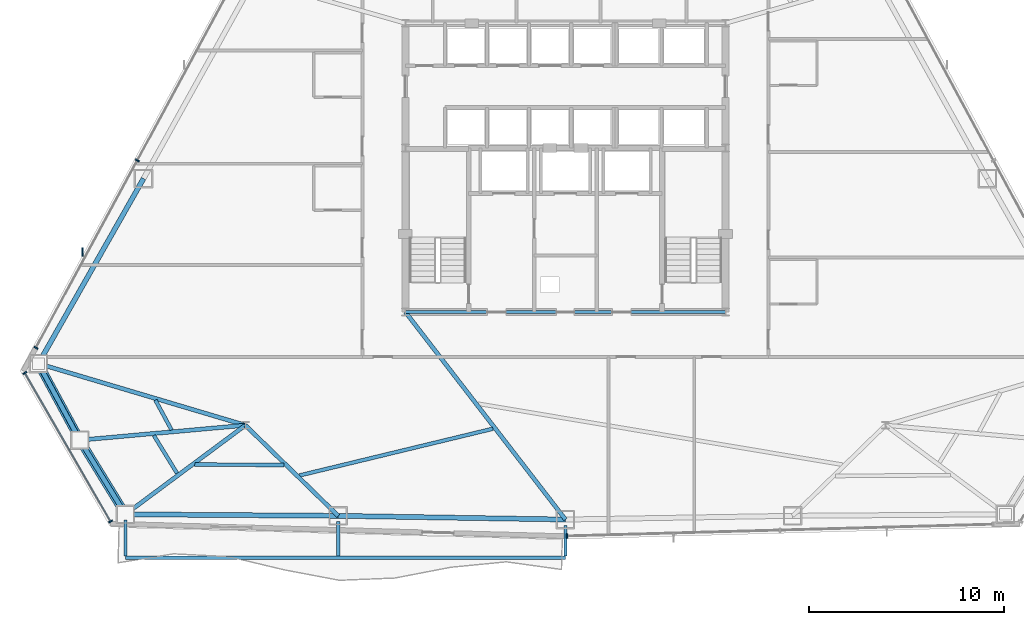
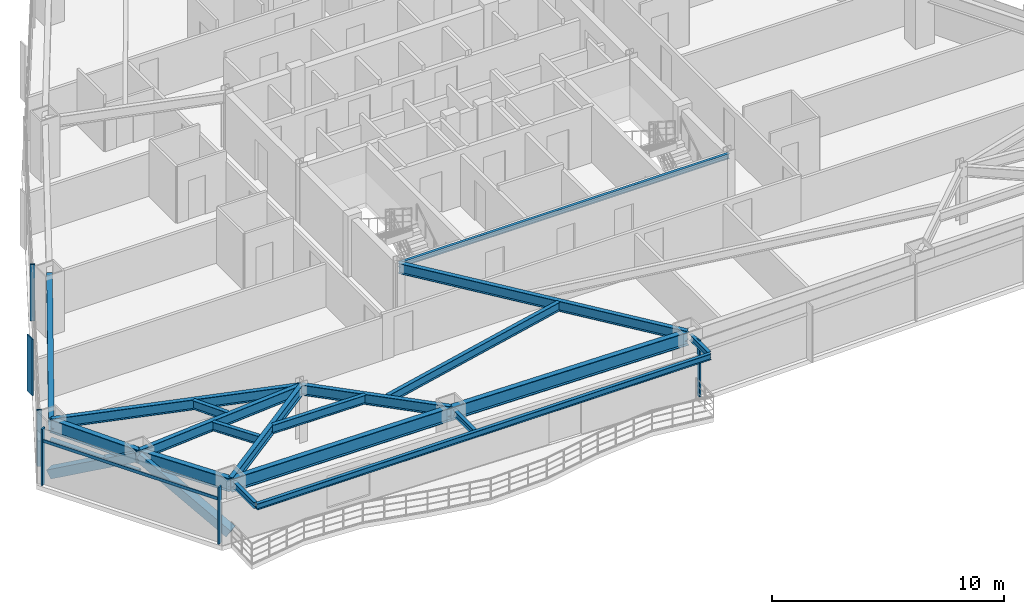
# One storey, part 4 of 14: 19 beams, 10 members, 3 elements without a shape of their own.
"""IFC4 building model written with IfcOpenShell, lengths in metres."""

from ifc_helpers import new_model, si_unit, direction, frame, origin, origin_2d, place, context, subcontext, project, spatial, rectangle, hollow_rectangle, hollow_circle, i_section, extrude, source, transform, mapped, material, layer, layer_set, material_profile, profile_set, type_object, type_shapes, element, aggregate, save


model = new_model("IFC4")

# Units and contexts
model_context = context("Model", 3, precision=1e-05, world=origin(), true_north=direction((0.0, 1.0)))
body_context = subcontext(model_context, "Body", "Model", "MODEL_VIEW")
ifc_project = project(units=[si_unit("LENGTHUNIT", "METRE"), si_unit("AREAUNIT", "SQUARE_METRE"), si_unit("VOLUMEUNIT", "CUBIC_METRE"), si_unit("PLANEANGLEUNIT", "RADIAN"), si_unit("MASSUNIT", "GRAM", prefix="KILO")], contexts=[model_context])

# Site, building, storey
site_placement = place(None, origin())
site = spatial("IfcSite", under=ifc_project, at=site_placement, CompositionType="ELEMENT")
building_placement = place(site_placement, origin())
building = spatial("IfcBuilding", under=site, at=building_placement, Name="Varakhsha Concourse Tower", CompositionType="ELEMENT")
storey_placement = place(building_placement, frame((0.0, 0.0, 105.39990234375)))
storey = spatial("IfcBuildingStorey", under=building, at=storey_placement, Name="L30", CompositionType="ELEMENT", Elevation=105.39990234375)

# Beams
ifc_material_1 = material(Name="Structural Steel ASTM A992 Grade 50", Category="steel")
ifc_material_profile_1 = material_profile(ifc_material_1, i_section(OverallWidth=0.1669921875, OverallDepth=0.31689453125, WebThickness=0.008056640625, FlangeThickness=0.012939453125, at=origin_2d()), Name="W12X35")
ifc_profile_set_1 = profile_set([ifc_material_profile_1], Name="Structural Steel ASTM A992 Grade 50")
beam_type_1 = type_object("IfcBeamType", Name="BM-EDGE-W12X35", PredefinedType="BEAM", material=ifc_profile_set_1)
beam_1_placement = place(storey_placement, frame((17.4541015625, 3.806884765625, 2.801513671875), z_axis=(1.0, 0.0, 0.0), x_axis=(0.0, 1.0, 0.0)))
element("IfcBeam", 1, at=beam_1_placement, inside=storey, type_object=beam_type_1, Name="L31 Sky-Loggia Outer Header Girder", PredefinedType="BEAM", context=body_context, shape_type="SweptSolid", body=[
    extrude(i_section(OverallWidth=0.1669921875, OverallDepth=0.31689453125, WebThickness=0.008056640625, FlangeThickness=0.012939453125, at=origin_2d()), origin(), (0.0, 0.0, 1.0), 22.5458984375),
])
beam_2_placement = place(storey_placement, frame((17.4541015625, 5.739990234375, 2.801513671875), z_axis=(0.0, -1.0, 0.0), x_axis=(1.0, 0.0, 0.0)))
element("IfcBeam", 2, at=beam_2_placement, inside=storey, type_object=beam_type_1, Name="L31 Sky-Loggia Support Bracket 1", PredefinedType="BEAM", context=body_context, shape_type="SweptSolid", body=[
    extrude(i_section(OverallWidth=0.1669921875, OverallDepth=0.31689453125, WebThickness=0.008056640625, FlangeThickness=0.012939453125, at=origin_2d()), origin(), (0.0, 0.0, 1.0), 1.848876953125),
])
beam_3_placement = place(storey_placement, frame((28.357177734375, 5.6630859375, 2.801513671875), z_axis=(0.0, -1.0, 0.0), x_axis=(1.0, 0.0, 0.0)))
element("IfcBeam", 3, at=beam_3_placement, inside=storey, type_object=beam_type_1, Name="L31 Sky-Loggia Support Bracket 2", PredefinedType="BEAM", context=body_context, shape_type="SweptSolid", body=[
    extrude(i_section(OverallWidth=0.1669921875, OverallDepth=0.31689453125, WebThickness=0.008056640625, FlangeThickness=0.012939453125, at=origin_2d()), origin(), (0.0, 0.0, 1.0), 1.77197265625),
])
beam_4_placement = place(storey_placement, frame((40.0, 5.47412109375, 2.801513671875), z_axis=(0.0, -1.0, 0.0), x_axis=(1.0, 0.0, 0.0)))
element("IfcBeam", 4, at=beam_4_placement, inside=storey, type_object=beam_type_1, Name="L31 Sky-Loggia Support Bracket 3", PredefinedType="BEAM", context=body_context, shape_type="SweptSolid", body=[
    extrude(i_section(OverallWidth=0.1669921875, OverallDepth=0.31689453125, WebThickness=0.008056640625, FlangeThickness=0.012939453125, at=origin_2d()), origin(), (0.0, 0.0, 1.0), 1.5830078125),
])
ifc_material_profile_2 = material_profile(ifc_material_1, i_section(OverallWidth=0.19091796875, OverallDepth=0.45703125, WebThickness=0.009033203125, FlangeThickness=0.013916015625, at=origin_2d()), Name="W18X50")
ifc_profile_set_2 = profile_set([ifc_material_profile_2], Name="Structural Steel ASTM A992 Grade 50")
beam_type_2 = type_object("IfcBeamType", Name="BM-JST-W18X50", PredefinedType="JOIST", material=ifc_profile_set_2)
beam_5_placement = place(storey_placement, frame((18.986572265625, 11.892578125, 2.74169921875), z_axis=(0.476504295846, -0.879172142439, 0.0), x_axis=(0.879172142439, 0.476504295846, 0.0)))
element("IfcBeam", 5, at=beam_5_placement, inside=storey, type_object=beam_type_2, Name="BM-TJST-L30-07", PredefinedType="JOIST", context=body_context, shape_type="SweptSolid", body=[
    extrude(i_section(OverallWidth=0.19091796875, OverallDepth=0.45703125, WebThickness=0.009033203125, FlangeThickness=0.013916015625, at=origin_2d()), origin(), (0.0, 0.0, 1.0), 1.742431640625),
])
beam_6_placement = place(storey_placement, frame((18.9091796875, 10.07861328125, 2.74169921875), z_axis=(0.523044533112, -0.852305353956, 0.0), x_axis=(0.852305353956, 0.523044533112, 0.0)))
element("IfcBeam", 6, at=beam_6_placement, inside=storey, type_object=beam_type_2, Name="BM-TJST-L30-08", PredefinedType="JOIST", context=body_context, shape_type="SweptSolid", body=[
    extrude(i_section(OverallWidth=0.19091796875, OverallDepth=0.45703125, WebThickness=0.009033203125, FlangeThickness=0.013916015625, at=origin_2d()), origin(), (0.0, 0.0, 1.0), 2.27783203125),
])
beam_7_placement = place(storey_placement, frame((21.005859375, 8.590576171875, 2.74169921875), z_axis=(0.999975217478, -0.007040201008, 0.0), x_axis=(0.007040201008, 0.999975217478, 0.0)))
element("IfcBeam", 7, at=beam_7_placement, inside=storey, type_object=beam_type_2, Name="BM-TJST-L30-09", PredefinedType="JOIST", context=body_context, shape_type="SweptSolid", body=[
    extrude(i_section(OverallWidth=0.19091796875, OverallDepth=0.45703125, WebThickness=0.009033203125, FlangeThickness=0.013916015625, at=origin_2d()), origin(), (0.0, 0.0, 1.0), 4.577392578125),
])
beam_8_placement = place(storey_placement, frame((26.37109375, 8.0263671875, 2.74169921875), z_axis=(0.972049063093, 0.234777807595, 0.0), x_axis=(-0.234777807595, 0.972049063093, 0.0)))
element("IfcBeam", 8, at=beam_8_placement, inside=storey, type_object=beam_type_2, Name="BM-TJST-L30-10", PredefinedType="JOIST", context=body_context, shape_type="SweptSolid", body=[
    extrude(i_section(OverallWidth=0.19091796875, OverallDepth=0.45703125, WebThickness=0.009033203125, FlangeThickness=0.013916015625, at=origin_2d()), origin(), (0.0, 0.0, 1.0), 10.19921875),
])
ifc_material_profile_3 = material_profile(ifc_material_1, i_section(OverallWidth=0.14697265625, OverallDepth=0.261962890625, WebThickness=0.007080078125, FlangeThickness=0.010986328125, at=origin_2d()), Name="W10X26")
ifc_profile_set_3 = profile_set([ifc_material_profile_3], Name="Structural Steel ASTM A992 Grade 50")
beam_type_3 = type_object("IfcBeamType", Name="BM-LNTL-W10X26", PredefinedType="LINTEL", material=ifc_profile_set_3)
beam_9_placement = place(storey_placement, frame((31.800048828125, 16.39990234375, 2.839111328125), z_axis=(1.0, 0.0, 0.0), x_axis=(0.0, 1.0, 0.0)))
element("IfcBeam", 9, at=beam_9_placement, inside=storey, type_object=beam_type_3, Name="BM-TCORE-L30-CS", PredefinedType="LINTEL", context=body_context, shape_type="SweptSolid", body=[
    extrude(i_section(OverallWidth=0.14697265625, OverallDepth=0.261962890625, WebThickness=0.007080078125, FlangeThickness=0.010986328125, at=origin_2d()), origin(), (0.0, 0.0, 1.0), 16.39990234375),
])
ifc_material_profile_4 = material_profile(ifc_material_1, i_section(OverallWidth=0.2109375, OverallDepth=0.5390625, WebThickness=0.011962890625, FlangeThickness=0.01904296875, at=origin_2d()), Name="W21X73")
ifc_profile_set_4 = profile_set([ifc_material_profile_4], Name="Structural Steel ASTM A992 Grade 50")
beam_type_4 = type_object("IfcBeamType", Name="BM-RAD-W21X73", PredefinedType="BEAM", material=ifc_profile_set_4)
beam_10_placement = place(storey_placement, frame((23.60009765625, 10.60009765625, 2.70068359375), z_axis=(-0.958430242981, 0.285326951653, 0.0), x_axis=(-0.285326951653, -0.958430242981, 0.0)))
element("IfcBeam", 10, at=beam_10_placement, inside=storey, type_object=beam_type_4, Name="L30 Radial Floor Girder 07", PredefinedType="BEAM", context=body_context, shape_type="SweptSolid", body=[
    extrude(i_section(OverallWidth=0.2109375, OverallDepth=0.5390625, WebThickness=0.011962890625, FlangeThickness=0.01904296875, at=origin_2d()), origin(), (0.0, 0.0, 1.0), 11.064453125),
])
beam_11_placement = place(storey_placement, frame((23.60009765625, 10.60009765625, 2.70068359375), z_axis=(-0.995965985667, -0.089731574119, 0.0), x_axis=(0.089731574119, -0.995965985667, 0.0)))
element("IfcBeam", 11, at=beam_11_placement, inside=storey, type_object=beam_type_4, Name="L30 Radial Floor Girder 08", PredefinedType="BEAM", context=body_context, shape_type="SweptSolid", body=[
    extrude(i_section(OverallWidth=0.2109375, OverallDepth=0.5390625, WebThickness=0.011962890625, FlangeThickness=0.01904296875, at=origin_2d()), origin(), (0.0, 0.0, 1.0), 8.513427734375),
])
beam_12_placement = place(storey_placement, frame((23.60009765625, 10.60009765625, 2.70068359375), z_axis=(-0.802769579704, -0.596289360883, 0.0), x_axis=(0.596289360883, -0.802769579704, 0.0)))
element("IfcBeam", 12, at=beam_12_placement, inside=storey, type_object=beam_type_4, Name="L30 Radial Floor Girder 09", PredefinedType="BEAM", context=body_context, shape_type="SweptSolid", body=[
    extrude(i_section(OverallWidth=0.2109375, OverallDepth=0.5390625, WebThickness=0.011962890625, FlangeThickness=0.01904296875, at=origin_2d()), origin(), (0.0, 0.0, 1.0), 7.656005859375),
])
beam_13_placement = place(storey_placement, frame((23.60009765625, 10.60009765625, 2.70068359375), z_axis=(0.715722386473, -0.698384897819, 0.0), x_axis=(0.698384897819, 0.715722386473, 0.0)))
element("IfcBeam", 13, at=beam_13_placement, inside=storey, type_object=beam_type_4, Name="L30 Radial Floor Girder 10", PredefinedType="BEAM", context=body_context, shape_type="SweptSolid", body=[
    extrude(i_section(OverallWidth=0.2109375, OverallDepth=0.5390625, WebThickness=0.011962890625, FlangeThickness=0.01904296875, at=origin_2d()), origin(), (0.0, 0.0, 1.0), 6.646484375),
])
beam_14_placement = place(storey_placement, frame((31.800048828125, 16.39990234375, 2.70068359375), z_axis=(0.610756875682, -0.791818185449, 0.0), x_axis=(0.791818185449, 0.610756875682, 0.0)))
element("IfcBeam", 14, at=beam_14_placement, inside=storey, type_object=beam_type_4, Name="L30 Radial Floor Girder 11", PredefinedType="BEAM", context=body_context, shape_type="SweptSolid", body=[
    extrude(i_section(OverallWidth=0.2109375, OverallDepth=0.5390625, WebThickness=0.011962890625, FlangeThickness=0.01904296875, at=origin_2d()), origin(), (0.0, 0.0, 1.0), 13.42578125),
])
ifc_material_profile_5 = material_profile(ifc_material_1, i_section(OverallWidth=0.25390625, OverallDepth=0.701904296875, WebThickness=0.014892578125, FlangeThickness=0.028076171875, at=origin_2d()), Name="W27X129")
ifc_profile_set_5 = profile_set([ifc_material_profile_5], Name="Structural Steel ASTM A992 Grade 50")
beam_type_5 = type_object("IfcBeamType", Name="BM-SPAN-W27X129", PredefinedType="SPANDREL", material=ifc_profile_set_5)
beam_15_placement = place(storey_placement, frame((18.380615234375, 23.238037109375, 2.619140625), z_axis=(-0.49387783637, -0.869531300611, 0.0), x_axis=(0.869531300611, -0.49387783637, 0.0)))
element("IfcBeam", 15, at=beam_15_placement, inside=storey, type_object=beam_type_5, Name="BM-SPAN-L30-06", PredefinedType="SPANDREL", context=body_context, shape_type="SweptSolid", body=[
    extrude(i_section(OverallWidth=0.25390625, OverallDepth=0.701904296875, WebThickness=0.014892578125, FlangeThickness=0.028076171875, at=origin_2d()), origin(), (0.0, 0.0, 1.0), 10.903564453125),
])
beam_16_placement = place(storey_placement, frame((12.99560546875, 13.757080078125, 2.619140625), z_axis=(0.476572329896, -0.87913526512, 0.0), x_axis=(0.87913526512, 0.476572329896, 0.0)))
element("IfcBeam", 16, at=beam_16_placement, inside=storey, type_object=beam_type_5, Name="BM-SPAN-L30-07", PredefinedType="SPANDREL", context=body_context, shape_type="SweptSolid", body=[
    extrude(i_section(OverallWidth=0.25390625, OverallDepth=0.701904296875, WebThickness=0.014892578125, FlangeThickness=0.028076171875, at=origin_2d()), origin(), (0.0, 0.0, 1.0), 4.4599609375),
])
beam_17_placement = place(storey_placement, frame((15.12109375, 9.836181640625, 2.619140625), z_axis=(0.523083096004, -0.852281687399, 0.0), x_axis=(0.852281687399, 0.523083096004, 0.0)))
element("IfcBeam", 17, at=beam_17_placement, inside=storey, type_object=beam_type_5, Name="BM-SPAN-L30-08", PredefinedType="SPANDREL", context=body_context, shape_type="SweptSolid", body=[
    extrude(i_section(OverallWidth=0.25390625, OverallDepth=0.701904296875, WebThickness=0.014892578125, FlangeThickness=0.028076171875, at=origin_2d()), origin(), (0.0, 0.0, 1.0), 4.460205078125),
])
beam_18_placement = place(storey_placement, frame((17.4541015625, 6.034912109375, 2.59912109375), z_axis=(0.999975283031, -0.007030883783, 0.0), x_axis=(0.007030883783, 0.999975283031, 0.0)))
element("IfcBeam", 18, at=beam_18_placement, inside=storey, type_object=beam_type_5, Name="BM-SPAN-L30-09", PredefinedType="SPANDREL", context=body_context, shape_type="SweptSolid", body=[
    extrude(i_section(OverallWidth=0.25390625, OverallDepth=0.701904296875, WebThickness=0.014892578125, FlangeThickness=0.028076171875, at=origin_2d()), origin(), (0.0, 0.0, 1.0), 10.9033203125),
])
beam_19_placement = place(storey_placement, frame((28.357177734375, 5.958251953125, 2.59912109375), z_axis=(0.999867976584, -0.016248981565, 0.0), x_axis=(0.016248981565, 0.999867976584, 0.0)))
element("IfcBeam", 19, at=beam_19_placement, inside=storey, type_object=beam_type_5, Name="BM-SPAN-L30-10", PredefinedType="SPANDREL", context=body_context, shape_type="SweptSolid", body=[
    extrude(i_section(OverallWidth=0.25390625, OverallDepth=0.701904296875, WebThickness=0.014892578125, FlangeThickness=0.028076171875, at=origin_2d()), origin(), (0.0, 0.0, 1.0), 11.644287109375),
])

# Members
ifc_material_2 = material(Name="Structural Steel ASTM A500 Grade C", Category="steel")
ifc_material_profile_6 = material_profile(ifc_material_2, hollow_rectangle(XDim=0.449951171875, YDim=0.449951171875, WallThickness=0.01904296875, at=origin_2d()), Name="HSS 450x450x19")
ifc_profile_set_6 = profile_set([ifc_material_profile_6], Name="Structural Steel ASTM A500 Grade C")
member_type_1 = type_object("IfcMemberType", Name="MB-TUBE-HSS450", PredefinedType="BRACE", material=ifc_profile_set_6)
shared_shape_1 = source(origin(), body_context, "Body", "SweptSolid", [
    extrude(hollow_rectangle(XDim=0.449951171875, YDim=0.449951171875, WallThickness=0.01904296875, at=origin_2d()), origin(), (0.0, 0.0, 1.0), 5.1376953125),
])
member_1_placement = place(storey_placement, frame((17.4541015625, 6.034912109375, 0.1201171875), z_axis=(-0.454101242407, 0.739886599443, 0.496346533794), x_axis=(-0.852281687399, -0.523083096004, 0.0)))
element("IfcMember", 20, at=member_1_placement, inside=storey, type_object=member_type_1, Name="L30 Wind-Corner Tube Brace B04", PredefinedType="BRACE", context=body_context, shape_type="MappedRepresentation", body=[
    mapped(shared_shape_1, transform((0.0, 0.0, 0.0), scale=1.0)),
])
shared_shape_2 = source(origin(), body_context, "Body", "SweptSolid", [
    extrude(hollow_rectangle(XDim=0.449951171875, YDim=0.449951171875, WallThickness=0.01904296875, at=origin_2d()), origin(), (0.0, 0.0, 1.0), 5.137451171875),
])
type_shapes(member_type_1, [shared_shape_1, shared_shape_2])
member_2_placement = place(storey_placement, frame((12.99560546875, 13.757080078125, 0.1201171875), z_axis=(0.413720442593, -0.763192086841, 0.49635998425), x_axis=(0.87913526512, 0.476572329896, 0.0)))
element("IfcMember", 21, at=member_2_placement, inside=storey, type_object=member_type_1, Name="L30 Wind-Corner Tube Brace B03", PredefinedType="BRACE", context=body_context, shape_type="MappedRepresentation", body=[
    mapped(shared_shape_2, transform((0.0, 0.0, 0.0), scale=1.0)),
])
ifc_material_profile_7 = material_profile(ifc_material_2, hollow_circle(Radius=0.136474609375, WallThickness=0.011962890625, at=origin_2d()), Name="CHS 273x12")
ifc_profile_set_7 = profile_set([ifc_material_profile_7], Name="Structural Steel ASTM A500 Grade C")
member_type_2 = type_object("IfcMemberType", Name="MB-WIND-CHS273", PredefinedType="COLLAR", material=ifc_profile_set_7)
shared_shape_3 = source(origin(), body_context, "Body", "SweptSolid", [
    extrude(hollow_circle(Radius=0.136474609375, WallThickness=0.011962890625, at=origin_2d()), origin(), (0.0, 0.0, 1.0), 4.4599609375),
])
type_shapes(member_type_2, [shared_shape_3])
member_3_placement = place(storey_placement, frame((12.99560546875, 13.757080078125, 1.800048828125), z_axis=(0.476572329896, -0.87913526512, 0.0), x_axis=(0.87913526512, 0.476572329896, 0.0)))
element("IfcMember", 22, at=member_3_placement, inside=storey, type_object=member_type_2, Name="L30 Wind-Corner Collar Tie 2", PredefinedType="COLLAR", context=body_context, shape_type="MappedRepresentation", body=[
    mapped(shared_shape_3, transform((0.0, 0.0, 0.0), scale=1.0)),
])

# Curtain wall, members
ifc_material_3 = material(Name="Anodised Bronze Architectural Aluminium AA 6063-T6", Category="aluminium")
ifc_layer = layer(ifc_material_3, 0.199951171875, Name="CW-SYS-03")
ifc_layer_set = layer_set([ifc_layer], Name="Anodised Bronze Architectural Aluminium AA 6063-T6")
curtain_wall_type = type_object("IfcCurtainWallType", Name="CW-SYS-03", PredefinedType="NOTDEFINED", material=ifc_layer_set)
curtain_wall_1_placement = place(storey_placement, origin())
curtain_wall_1 = element("IfcCurtainWall", 23, at=curtain_wall_1_placement, inside=storey, type_object=curtain_wall_type, Name="L30 Crystal Curtain Wall F3", PredefinedType="NOTDEFINED")
ifc_material_profile_8 = material_profile(ifc_material_3, rectangle(XDim=0.074951171875, YDim=0.219970703125, at=origin_2d()), Name="CWM-220X75")
ifc_profile_set_8 = profile_set([ifc_material_profile_8], Name="Anodised Bronze Architectural Aluminium AA 6063-T6")
member_type_3 = type_object("IfcMemberType", Name="CWM-220X75", PredefinedType="MULLION", material=ifc_profile_set_8)
shared_shape_4 = source(origin(), body_context, "Body", "SweptSolid", [
    extrude(rectangle(XDim=0.074951171875, YDim=0.219970703125, at=origin_2d()), origin(), (0.0, 0.0, 1.0), 2.97021484375),
])
type_shapes(member_type_3, [shared_shape_4])
member_4_placement = place(storey_placement, frame((12.8681640625, 14.56494140625, 0.0), z_axis=(0.0, 0.0, 1.0), x_axis=(0.475958864887, 0.879467542855, 0.0)))
member_4 = element("IfcMember", 24, at=member_4_placement, type_object=member_type_3, Name="CW-L30-F3 Mullion 00", PredefinedType="MULLION", context=body_context, shape_type="MappedRepresentation", body=[
    mapped(shared_shape_4, transform((0.0, 0.0, 0.0), scale=1.0)),
])
member_5_placement = place(storey_placement, frame((18.06640625, 24.169921875, 0.0), z_axis=(0.0, 0.0, 1.0), x_axis=(0.475958864887, 0.879467542855, 0.0)))
member_5 = element("IfcMember", 25, at=member_5_placement, type_object=member_type_3, Name="CW-L30-F3 Mullion 01", PredefinedType="MULLION", context=body_context, shape_type="MappedRepresentation", body=[
    mapped(shared_shape_4, transform((0.0, 0.0, 0.0), scale=1.0)),
])

curtain_wall_2_placement = place(storey_placement, origin())
curtain_wall_2 = element("IfcCurtainWall", 26, at=curtain_wall_2_placement, inside=storey, type_object=curtain_wall_type, Name="L30 Chamfer Curtain Wall F4", PredefinedType="NOTDEFINED")
member_6_placement = place(storey_placement, frame((16.694580078125, 5.67041015625, 0.0), z_axis=(0.0, 0.0, 1.0), x_axis=(-0.499996976998, 0.866027149108, 0.0)))
member_6 = element("IfcMember", 27, at=member_6_placement, type_object=member_type_3, Name="CW-L30-F4 Mullion 00", PredefinedType="MULLION", context=body_context, shape_type="MappedRepresentation", body=[
    mapped(shared_shape_4, transform((0.0, 0.0, 0.0), scale=1.0)),
])
member_7_placement = place(storey_placement, frame((12.30029296875, 13.28173828125, 0.0), z_axis=(0.0, 0.0, 1.0), x_axis=(-0.499996976998, 0.866027149108, 0.0)))
member_7 = element("IfcMember", 28, at=member_7_placement, type_object=member_type_3, Name="CW-L30-F4 Mullion 01", PredefinedType="MULLION", context=body_context, shape_type="MappedRepresentation", body=[
    mapped(shared_shape_4, transform((0.0, 0.0, 0.0), scale=1.0)),
])

# Curtain wall, member
curtain_wall_3_placement = place(storey_placement, origin())
curtain_wall_3 = element("IfcCurtainWall", 29, at=curtain_wall_3_placement, inside=storey, type_object=curtain_wall_type, Name="L30 Crystal Curtain Wall F6", PredefinedType="NOTDEFINED")
member_8_placement = place(storey_placement, frame((40.07568359375, 4.919189453125, 0.0), z_axis=(0.0, 0.0, 1.0), x_axis=(-0.99962052214, -0.02754653728, 0.0)))
member_8 = element("IfcMember", 30, at=member_8_placement, type_object=member_type_3, Name="CW-L30-F6 Mullion 02", PredefinedType="MULLION", context=body_context, shape_type="MappedRepresentation", body=[
    mapped(shared_shape_4, transform((0.0, 0.0, 0.0), scale=1.0)),
])
aggregate(curtain_wall_3, [member_8])

# Member
ifc_material_profile_9 = material_profile(ifc_material_3, rectangle(XDim=0.06494140625, YDim=0.449951171875, at=origin_2d()), Name="FIN-BRZ-450")
ifc_profile_set_9 = profile_set([ifc_material_profile_9], Name="Anodised Bronze Architectural Aluminium AA 6063-T6")
member_type_4 = type_object("IfcMemberType", Name="FIN-BRZ-450", PredefinedType="USERDEFINED", material=ifc_profile_set_9)
shared_shape_5 = source(origin(), body_context, "Body", "SweptSolid", [
    extrude(rectangle(XDim=0.06494140625, YDim=0.449951171875, at=origin_2d()), origin(), (0.0, 0.0, 1.0), 2.97021484375),
])
type_shapes(member_type_4, [shared_shape_5])
member_9_placement = place(storey_placement, frame((15.256103515625, 19.481689453125, 0.0), z_axis=(0.0, 0.0, 1.0), x_axis=(1.0, 0.0, 0.0)))
member_9 = element("IfcMember", 31, at=member_9_placement, type_object=member_type_4, Name="L30 Anodised Bronze Solar Fin F3-1", ObjectType="SOLAR FIN", PredefinedType="USERDEFINED", context=body_context, shape_type="MappedRepresentation", body=[
    mapped(shared_shape_5, transform((0.0, 0.0, 0.0), scale=1.0)),
])

aggregate(curtain_wall_1, [member_4, member_5, member_9])

ifc_material_profile_10 = material_profile(ifc_material_3, rectangle(XDim=0.06494140625, YDim=0.159912109375, at=origin_2d()), Name="CWT-160X65")
ifc_profile_set_10 = profile_set([ifc_material_profile_10], Name="Anodised Bronze Architectural Aluminium AA 6063-T6")
member_type_5 = type_object("IfcMemberType", Name="CWT-160X65", PredefinedType="USERDEFINED", material=ifc_profile_set_10)
shared_shape_6 = source(origin(), body_context, "Body", "SweptSolid", [
    extrude(rectangle(XDim=0.06494140625, YDim=0.159912109375, at=origin_2d()), origin(), (0.0, 0.0, 1.0), 8.788818359375),
])
type_shapes(member_type_5, [shared_shape_6])
member_10_placement = place(storey_placement, frame((16.694580078125, 5.67041015625, 2.320068359375), z_axis=(-0.499990166443, 0.866031081117, 0.0), x_axis=(-0.866031081117, -0.499990166443, 0.0)))
member_10 = element("IfcMember", 32, at=member_10_placement, type_object=member_type_5, Name="CW-L30-F4 Transom 01", ObjectType="TRANSOM", PredefinedType="USERDEFINED", context=body_context, shape_type="MappedRepresentation", body=[
    mapped(shared_shape_6, transform((0.0, 0.0, 0.0), scale=1.0)),
])

aggregate(curtain_wall_2, [member_6, member_7, member_10])

save(model, "model.ifc")
